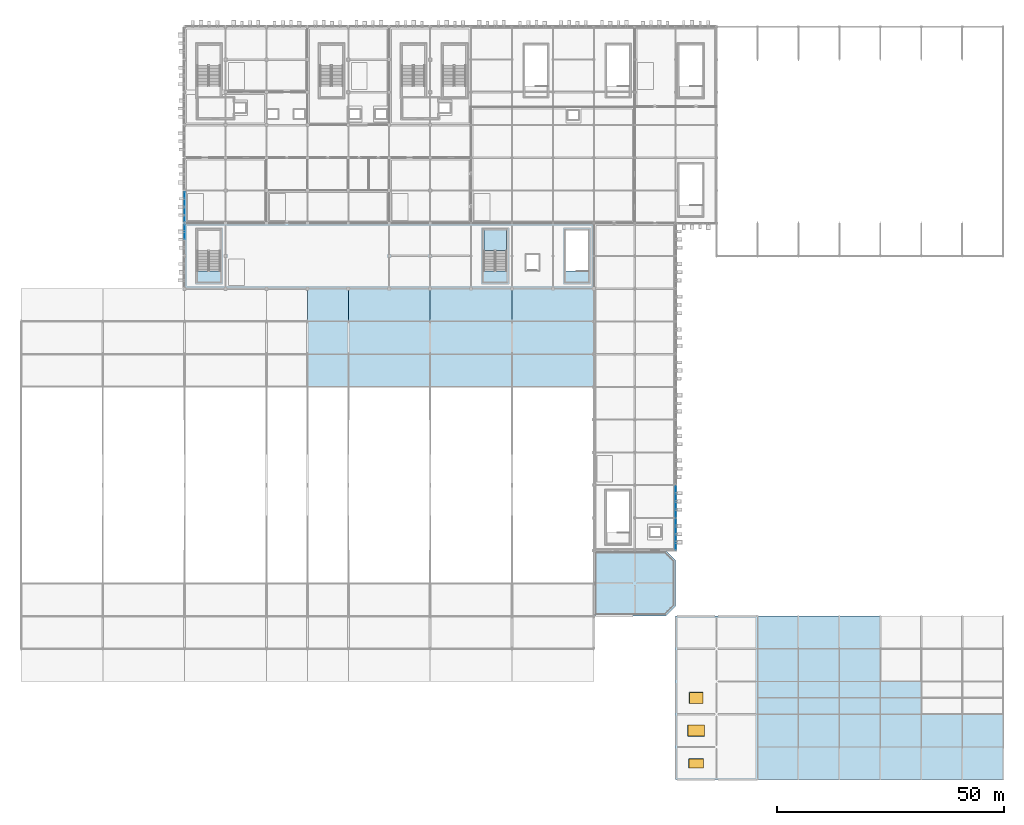
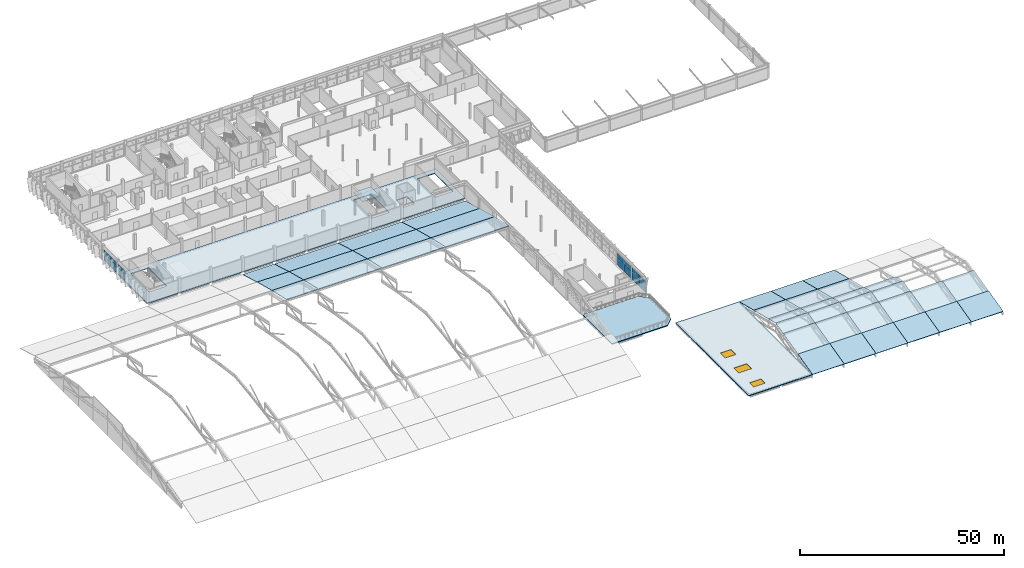
# One storey, part 76 of 124: 42 slabs, 14 plates, 3 windows, 3 openings, 5 elements without a shape of their own.
"""IFC4 building model written with IfcOpenShell, lengths in metres."""

import ifcopenshell
import ifcopenshell.guid

model = None  # the IFC model being written
_history = None  # IfcOwnerHistory: only IFC2X3 demands one
_inside = {}  # id of a spatial element -> (the spatial element, [elements in it])
_under = {}  # id of a project, library or spatial element -> (it, [spatial elements below it])
_declared = {}  # id of a project -> (the project, [libraries it declares])
_typed = {}  # id of a type object -> (the type object, [elements of that type])
_made_of = {}  # id of a material, layer set ... -> (it, [elements and type objects made of it])


def new_model(schema):
    """Start an empty IFC model of exactly this schema.

    Asked for "IFC4X3", IfcOpenShell would pick the latest addendum, in which some entities
    have other attributes; the version numbers below select the first issue.
    IFC2X3 requires an IfcOwnerHistory on every rooted entity: one is made here for all.
    """
    global model, _history
    if schema == "IFC4X3":
        model = ifcopenshell.file(schema_version=(4, 3, 0, 0))
    else:
        model = ifcopenshell.file(schema=schema)
    _inside.clear()
    _under.clear()
    _declared.clear()
    _typed.clear()
    _made_of.clear()
    _history = None
    if model.schema == "IFC2X3":
        org = make("IfcOrganization", Name="unknown")
        user = make(
            "IfcPersonAndOrganization",
            ThePerson=make("IfcPerson", FamilyName="unknown"),
            TheOrganization=org,
        )
        app = make(
            "IfcApplication",
            ApplicationDeveloper=org,
            Version="unknown",
            ApplicationFullName="unknown",
            ApplicationIdentifier="unknown",
        )
        _history = make(
            "IfcOwnerHistory",
            OwningUser=user,
            OwningApplication=app,
            ChangeAction="ADDED",
            CreationDate=0,
        )
    return model


def make(cls, **values):
    """One entity of the class cls with the attributes given. An attribute that is None is left unset."""
    return model.create_entity(
        cls, **{name: value for name, value in values.items() if value is not None}
    )


def rooted(cls, **values):
    """An entity with a GlobalId (a new one), such as an element, a storey or a relation."""
    return make(cls, GlobalId=ifcopenshell.guid.new(), OwnerHistory=_history, **values)


def si_unit(unit_type, name, prefix=None):
    """IfcSIUnit, for example si_unit("LENGTHUNIT", "METRE", prefix="MILLI")."""
    return make("IfcSIUnit", UnitType=unit_type, Prefix=prefix, Name=name)


def assignment(units):
    """IfcUnitAssignment: the units of a project."""
    return None if units is None else make("IfcUnitAssignment", Units=units)


def point(xyz):
    """IfcCartesianPoint."""
    return None if xyz is None else make("IfcCartesianPoint", Coordinates=xyz)


def direction(xyz):
    """IfcDirection."""
    return None if xyz is None else make("IfcDirection", DirectionRatios=xyz)


def frame(location, z_axis=None, x_axis=None):
    """IfcAxis2Placement3D, a coordinate frame: its origin and axes. An axis left out is left unset."""
    return make(
        "IfcAxis2Placement3D",
        Location=point(location),
        Axis=direction(z_axis),
        RefDirection=direction(x_axis),
    )


def frame_2d(location, x_axis=None):
    """IfcAxis2Placement2D, a coordinate frame in the plane: its origin and x axis."""
    return make(
        "IfcAxis2Placement2D", Location=point(location), RefDirection=direction(x_axis)
    )


def origin():
    """The frame at (0, 0, 0) with its axes left unset."""
    return frame((0.0, 0.0, 0.0))


def origin_2d():
    """The frame at (0, 0) in the plane with its x axis left unset."""
    return frame_2d((0.0, 0.0))


def place(relative_to, where):
    """IfcLocalPlacement: puts the frame where relative to a parent placement (None: the world)."""
    return make(
        "IfcLocalPlacement", PlacementRelTo=relative_to, RelativePlacement=where
    )


def context(
    kind, dimensions, precision=None, world=None, true_north=None, identifier=None
):
    """IfcGeometricRepresentationContext, for example the 3D "Model" context."""
    return make(
        "IfcGeometricRepresentationContext",
        ContextIdentifier=identifier,
        ContextType=kind,
        CoordinateSpaceDimension=dimensions,
        Precision=precision,
        WorldCoordinateSystem=world,
        TrueNorth=true_north,
    )


def subcontext(parent, identifier, kind, view, scale=None):
    """IfcGeometricRepresentationSubContext, for example "Body" below "Model"."""
    return make(
        "IfcGeometricRepresentationSubContext",
        ContextIdentifier=identifier,
        ContextType=kind,
        ParentContext=parent,
        TargetScale=scale,
        TargetView=view,
    )


def project(units=None, contexts=None):
    """IfcProject with its units and contexts."""
    return rooted(
        "IfcProject",
        Name="project",
        RepresentationContexts=contexts,
        UnitsInContext=assignment(units),
    )


def spatial(cls, under=None, at=None, **own):
    """A site, building, storey or space (cls), placed at a placement, below another one or the project."""
    s = rooted(cls, ObjectPlacement=at, **own)
    if under is not None:
        _under.setdefault(under.id(), (under, []))[1].append(s)
    return s


def polyline(points):
    """IfcPolyline through the points."""
    return make("IfcPolyline", Points=[point(p) for p in points])


def profile(cls, at=None, kind="AREA", **sizes):
    """A parametric profile (cls). Its sizes go by their IFC names, for example OverallWidth=200.0."""
    return make(cls, ProfileType=kind, Position=at, **sizes)


def rectangle(**sizes):
    """IfcRectangleProfileDef."""
    return profile("IfcRectangleProfileDef", **sizes)


def outline(outer, holes=None, kind="AREA"):
    """IfcArbitraryClosedProfileDef: a profile drawn as a closed curve; with holes, ...WithVoids."""
    if holes is None:
        return make("IfcArbitraryClosedProfileDef", ProfileType=kind, OuterCurve=outer)
    return make(
        "IfcArbitraryProfileDefWithVoids",
        ProfileType=kind,
        OuterCurve=outer,
        InnerCurves=holes,
    )


def extrude(swept, where, along, depth):
    """IfcExtrudedAreaSolid: the profile swept, set in the frame where, extruded along a direction by depth."""
    return make(
        "IfcExtrudedAreaSolid",
        SweptArea=swept,
        Position=where,
        ExtrudedDirection=direction(along),
        Depth=depth,
    )


def shape(context_of_items, identifier, shape_type, items):
    """IfcShapeRepresentation: the items that make up one representation, for example the "Body"."""
    return make(
        "IfcShapeRepresentation",
        ContextOfItems=context_of_items,
        RepresentationIdentifier=identifier,
        RepresentationType=shape_type,
        Items=items,
    )


def material(Name=None, Category=None):
    """IfcMaterial."""
    return make("IfcMaterial", Name=Name, Category=Category)


def layer(
    of_material, thickness, ventilated=None, Name=None, Category=None, Priority=None
):
    """IfcMaterialLayer: one layer of a wall or slab, of a material (None: an air gap)."""
    return make(
        "IfcMaterialLayer",
        Material=of_material,
        LayerThickness=thickness,
        IsVentilated=ventilated,
        Name=Name,
        Category=Category,
        Priority=Priority,
    )


def layer_set(layers, Name=None):
    """IfcMaterialLayerSet."""
    return make("IfcMaterialLayerSet", MaterialLayers=layers, LayerSetName=Name)


def made_of(thing, what):
    """Note that an element or type object is made of a material, layer set ...; save() writes the relation."""
    if what is not None:
        _made_of.setdefault(what.id(), (what, []))[1].append(thing)
    return thing


def type_object(cls, material=None, **own):
    """A type object (cls), such as IfcWallType, which elements share."""
    return made_of(rooted(cls, **own), material)


def element(
    cls,
    number,
    at=None,
    inside=None,
    cuts=None,
    type_object=None,
    material=None,
    context=None,
    identifier="Body",
    shape_type=None,
    held_by="IfcProductDefinitionShape",
    body=None,
    shapes=None,
    **own,
):
    """One element of the class cls, such as IfcWall. Its Tag is "e" and its number.

    at: its placement. inside: the storey or other place that contains it. cuts: it is an
    opening in that element (IfcRelVoidsElement). A single representation is given by context,
    identifier, shape_type and body (its items); several are given by shapes. held_by: the class
    of the entity that holds the representations. save() writes the other relations.
    """
    e = rooted(cls, Tag="e%d" % number, ObjectPlacement=at, **own)
    if body is not None:
        shapes = [shape(context, identifier, shape_type, body)]
    if shapes is not None:
        e.Representation = make(held_by, Representations=shapes)
    if inside is not None:
        _inside.setdefault(inside.id(), (inside, []))[1].append(e)
    if cuts is not None:
        rooted(
            "IfcRelVoidsElement", RelatingBuildingElement=cuts, RelatedOpeningElement=e
        )
    if type_object is not None:
        _typed.setdefault(type_object.id(), (type_object, []))[1].append(e)
    return made_of(e, material)


def fill(opening, filler):
    """IfcRelFillsElement: the door or window that sits in an opening."""
    return rooted(
        "IfcRelFillsElement",
        RelatingOpeningElement=opening,
        RelatedBuildingElement=filler,
    )


def aggregate(whole, parts):
    """IfcRelAggregates: a whole, such as a stair, and the parts it consists of."""
    return rooted("IfcRelAggregates", RelatingObject=whole, RelatedObjects=parts)


def save(model, path):
    """Write the relations noted so far, then the file.

    IfcRelAggregates (storeys below a building ...), IfcRelContainedInSpatialStructure (elements
    in a storey), IfcRelDefinesByType, IfcRelAssociatesMaterial and IfcRelDeclares: one each for
    every whole, place, type object, material and project.
    """
    for whole, parts in _under.values():
        aggregate(whole, parts)
    for where, things in _inside.values():
        rooted(
            "IfcRelContainedInSpatialStructure",
            RelatedElements=things,
            RelatingStructure=where,
        )
    for kind, things in _typed.values():
        rooted("IfcRelDefinesByType", RelatedObjects=things, RelatingType=kind)
    for what, things in _made_of.values():
        rooted("IfcRelAssociatesMaterial", RelatedObjects=things, RelatingMaterial=what)
    for by, libraries in _declared.values():
        rooted("IfcRelDeclares", RelatingContext=by, RelatedDefinitions=libraries)
    model.write(path)


model = new_model("IFC4")

# Units and contexts
model_context = context("Model", 3, precision=1e-05, world=origin(), true_north=direction((0.0, 1.0)))
body_context = subcontext(model_context, "Body", "Model", "MODEL_VIEW")
ifc_project = project(units=[si_unit("LENGTHUNIT", "METRE"), si_unit("AREAUNIT", "SQUARE_METRE"), si_unit("VOLUMEUNIT", "CUBIC_METRE"), si_unit("PLANEANGLEUNIT", "RADIAN"), si_unit("MASSUNIT", "GRAM", prefix="KILO")], contexts=[model_context])

# Site, building, storey
site_placement = place(None, origin())
site = spatial("IfcSite", under=ifc_project, at=site_placement, CompositionType="ELEMENT")
building_placement = place(site_placement, origin())
building = spatial("IfcBuilding", under=site, at=building_placement, Name="Celestram Park Convention Centre", CompositionType="ELEMENT")
storey_placement = place(building_placement, frame((0.0, 0.0, 15.300048828125)))
storey = spatial("IfcBuildingStorey", under=building, at=storey_placement, Name="L03", CompositionType="ELEMENT", Elevation=15.300048828125)

# Curtain wall, plates
ifc_material_1 = material(Name="Anodised Aluminium Alloy 6063-T6", Category="aluminium")
ifc_layer_1 = layer(ifc_material_1, 0.179931640625)
ifc_layer_set_1 = layer_set([ifc_layer_1], Name="Anodised Aluminium Alloy 6063-T6")
curtain_wall_type_1 = type_object("IfcCurtainWallType", Name="ARC-CW-660X334", PredefinedType="NOTDEFINED", material=ifc_layer_set_1)
curtain_wall_1_placement = place(storey_placement, origin())
curtain_wall_1 = element("IfcCurtainWall", 1, at=curtain_wall_1_placement, inside=storey, type_object=curtain_wall_type_1, Name="Unitised curtain wall CU-L03-196", PredefinedType="NOTDEFINED")
ifc_material_2 = material(Name="Insulated Glazing Unit 28 mm", Category="glass")
ifc_layer_2 = layer(ifc_material_2, 0.028076171875)
ifc_layer_set_2 = layer_set([ifc_layer_2], Name="Insulated Glazing Unit 28 mm")
plate_type = type_object("IfcPlateType", Name="ARC-CWP-IGU28", PredefinedType="CURTAIN_PANEL", material=ifc_layer_set_2)
plate_1_placement = place(storey_placement, frame((36.0, 120.434814453125, 0.059814453125), z_axis=(0.0, 0.0, 1.0), x_axis=(0.0, 1.0, 0.0)))
plate_1 = element("IfcPlate", 2, at=plate_1_placement, type_object=plate_type, Name="CW-66X33 panel 2.1", PredefinedType="CURTAIN_PANEL", context=body_context, shape_type="SweptSolid", body=[
    extrude(rectangle(XDim=3.20458984375, YDim=0.028076171875, at=origin_2d()), origin(), (0.0, 0.0, 1.0), 1.912109375),
])
plate_2_placement = place(storey_placement, frame((36.0, 120.434814453125, 2.0322265625), z_axis=(0.0, 0.0, 1.0), x_axis=(0.0, 1.0, 0.0)))
plate_2 = element("IfcPlate", 3, at=plate_2_placement, type_object=plate_type, Name="CW-66X33 panel 2.2", PredefinedType="CURTAIN_PANEL", context=body_context, shape_type="SweptSolid", body=[
    extrude(rectangle(XDim=3.20458984375, YDim=0.028076171875, at=origin_2d()), origin(), (0.0, 0.0, 1.0), 1.243896484375),
])
aggregate(curtain_wall_1, [plate_1, plate_2])

curtain_wall_2_placement = place(storey_placement, origin())
curtain_wall_2 = element("IfcCurtainWall", 4, at=curtain_wall_2_placement, inside=storey, type_object=curtain_wall_type_1, Name="Unitised curtain wall CU-L03-197", PredefinedType="NOTDEFINED")
plate_3_placement = place(storey_placement, frame((36.0, 124.365234375, 0.059814453125), z_axis=(0.0, 0.0, 1.0), x_axis=(0.0, 1.0, 0.0)))
plate_3 = element("IfcPlate", 5, at=plate_3_placement, type_object=plate_type, Name="CW-66X33 panel 1.1", PredefinedType="CURTAIN_PANEL", context=body_context, shape_type="SweptSolid", body=[
    extrude(rectangle(XDim=3.20458984375, YDim=0.028076171875, at=origin_2d()), origin(), (0.0, 0.0, 1.0), 1.912109375),
])
plate_4_placement = place(storey_placement, frame((36.0, 124.365234375, 2.0322265625), z_axis=(0.0, 0.0, 1.0), x_axis=(0.0, 1.0, 0.0)))
plate_4 = element("IfcPlate", 6, at=plate_4_placement, type_object=plate_type, Name="CW-66X33 panel 1.2", PredefinedType="CURTAIN_PANEL", context=body_context, shape_type="SweptSolid", body=[
    extrude(rectangle(XDim=3.20458984375, YDim=0.028076171875, at=origin_2d()), origin(), (0.0, 0.0, 1.0), 1.243896484375),
])
plate_5_placement = place(storey_placement, frame((36.0, 127.634765625, 0.059814453125), z_axis=(0.0, 0.0, 1.0), x_axis=(0.0, 1.0, 0.0)))
plate_5 = element("IfcPlate", 7, at=plate_5_placement, type_object=plate_type, Name="CW-66X33 panel 2.1", PredefinedType="CURTAIN_PANEL", context=body_context, shape_type="SweptSolid", body=[
    extrude(rectangle(XDim=3.20458984375, YDim=0.028076171875, at=origin_2d()), origin(), (0.0, 0.0, 1.0), 1.912109375),
])
plate_6_placement = place(storey_placement, frame((36.0, 127.634765625, 2.0322265625), z_axis=(0.0, 0.0, 1.0), x_axis=(0.0, 1.0, 0.0)))
plate_6 = element("IfcPlate", 8, at=plate_6_placement, type_object=plate_type, Name="CW-66X33 panel 2.2", PredefinedType="CURTAIN_PANEL", context=body_context, shape_type="SweptSolid", body=[
    extrude(rectangle(XDim=3.20458984375, YDim=0.028076171875, at=origin_2d()), origin(), (0.0, 0.0, 1.0), 1.243896484375),
])
aggregate(curtain_wall_2, [plate_3, plate_4, plate_5, plate_6])

ifc_layer_3 = layer(ifc_material_1, 0.179931640625)
ifc_layer_set_3 = layer_set([ifc_layer_3], Name="Anodised Aluminium Alloy 6063-T6")
curtain_wall_type_2 = type_object("IfcCurtainWallType", Name="ARC-CW-685X365", PredefinedType="NOTDEFINED", material=ifc_layer_set_3)
curtain_wall_3_placement = place(storey_placement, origin())
curtain_wall_3 = element("IfcCurtainWall", 9, at=curtain_wall_3_placement, inside=storey, type_object=curtain_wall_type_2, Name="Unitised curtain wall CU-L03-225", PredefinedType="NOTDEFINED")
plate_7_placement = place(storey_placement, frame((144.0, 62.897216796875, 0.059814453125), z_axis=(0.0, 0.0, 1.0), x_axis=(0.0, -1.0, 0.0)))
plate_7 = element("IfcPlate", 10, at=plate_7_placement, type_object=plate_type, Name="CW-68X36 panel 1.1", PredefinedType="CURTAIN_PANEL", context=body_context, shape_type="SweptSolid", body=[
    extrude(rectangle(XDim=3.32958984375, YDim=0.028076171875, at=origin_2d()), origin(), (0.0, 0.0, 1.0), 2.09912109375),
])
plate_8_placement = place(storey_placement, frame((144.0, 62.897216796875, 2.21923828125), z_axis=(0.0, 0.0, 1.0), x_axis=(0.0, -1.0, 0.0)))
plate_8 = element("IfcPlate", 11, at=plate_8_placement, type_object=plate_type, Name="CW-68X36 panel 1.2", PredefinedType="CURTAIN_PANEL", context=body_context, shape_type="SweptSolid", body=[
    extrude(rectangle(XDim=3.32958984375, YDim=0.028076171875, at=origin_2d()), origin(), (0.0, 0.0, 1.0), 1.368896484375),
])
plate_9_placement = place(storey_placement, frame((144.0, 59.502685546875, 0.059814453125), z_axis=(0.0, 0.0, 1.0), x_axis=(0.0, -1.0, 0.0)))
plate_9 = element("IfcPlate", 12, at=plate_9_placement, type_object=plate_type, Name="CW-68X36 panel 2.1", PredefinedType="CURTAIN_PANEL", context=body_context, shape_type="SweptSolid", body=[
    extrude(rectangle(XDim=3.32958984375, YDim=0.028076171875, at=origin_2d()), origin(), (0.0, 0.0, 1.0), 2.09912109375),
])
plate_10_placement = place(storey_placement, frame((144.0, 59.502685546875, 2.21923828125), z_axis=(0.0, 0.0, 1.0), x_axis=(0.0, -1.0, 0.0)))
plate_10 = element("IfcPlate", 13, at=plate_10_placement, type_object=plate_type, Name="CW-68X36 panel 2.2", PredefinedType="CURTAIN_PANEL", context=body_context, shape_type="SweptSolid", body=[
    extrude(rectangle(XDim=3.32958984375, YDim=0.028076171875, at=origin_2d()), origin(), (0.0, 0.0, 1.0), 1.368896484375),
])
aggregate(curtain_wall_3, [plate_7, plate_8, plate_9, plate_10])

curtain_wall_4_placement = place(storey_placement, origin())
curtain_wall_4 = element("IfcCurtainWall", 14, at=curtain_wall_4_placement, inside=storey, type_object=curtain_wall_type_2, Name="Unitised curtain wall CU-L03-226", PredefinedType="NOTDEFINED")
plate_11_placement = place(storey_placement, frame((144.0, 55.697265625, 0.059814453125), z_axis=(0.0, 0.0, 1.0), x_axis=(0.0, -1.0, 0.0)))
plate_11 = element("IfcPlate", 15, at=plate_11_placement, type_object=plate_type, Name="CW-68X36 panel 1.1", PredefinedType="CURTAIN_PANEL", context=body_context, shape_type="SweptSolid", body=[
    extrude(rectangle(XDim=3.32958984375, YDim=0.028076171875, at=origin_2d()), origin(), (0.0, 0.0, 1.0), 2.09912109375),
])
plate_12_placement = place(storey_placement, frame((144.0, 55.697265625, 2.21923828125), z_axis=(0.0, 0.0, 1.0), x_axis=(0.0, -1.0, 0.0)))
plate_12 = element("IfcPlate", 16, at=plate_12_placement, type_object=plate_type, Name="CW-68X36 panel 1.2", PredefinedType="CURTAIN_PANEL", context=body_context, shape_type="SweptSolid", body=[
    extrude(rectangle(XDim=3.32958984375, YDim=0.028076171875, at=origin_2d()), origin(), (0.0, 0.0, 1.0), 1.368896484375),
])
plate_13_placement = place(storey_placement, frame((144.0, 52.302734375, 0.059814453125), z_axis=(0.0, 0.0, 1.0), x_axis=(0.0, -1.0, 0.0)))
plate_13 = element("IfcPlate", 17, at=plate_13_placement, type_object=plate_type, Name="CW-68X36 panel 2.1", PredefinedType="CURTAIN_PANEL", context=body_context, shape_type="SweptSolid", body=[
    extrude(rectangle(XDim=3.32958984375, YDim=0.028076171875, at=origin_2d()), origin(), (0.0, 0.0, 1.0), 2.09912109375),
])
plate_14_placement = place(storey_placement, frame((144.0, 52.302734375, 2.21923828125), z_axis=(0.0, 0.0, 1.0), x_axis=(0.0, -1.0, 0.0)))
plate_14 = element("IfcPlate", 18, at=plate_14_placement, type_object=plate_type, Name="CW-68X36 panel 2.2", PredefinedType="CURTAIN_PANEL", context=body_context, shape_type="SweptSolid", body=[
    extrude(rectangle(XDim=3.32958984375, YDim=0.028076171875, at=origin_2d()), origin(), (0.0, 0.0, 1.0), 1.368896484375),
])
aggregate(curtain_wall_4, [plate_11, plate_12, plate_13, plate_14])

# Slabs
ifc_material_3 = material(Name="Concrete C35/45", Category="concrete")
ifc_layer_4 = layer(ifc_material_3, 0.159912109375)
ifc_layer_set_4 = layer_set([ifc_layer_4], Name="Concrete C35/45")
slab_type_1 = type_object("IfcSlabType", Name="STR-SLB-ARCH160", PredefinedType="ROOF", material=ifc_layer_set_4)
slab_1_placement = place(storey_placement, frame((63.0, 86.39990234375, 4.73486328125), z_axis=(0.0, 0.223138007485, 0.974786863686), x_axis=(1.0, 0.0, 0.0)))
element("IfcSlab", 19, at=slab_1_placement, inside=storey, type_object=slab_type_1, Name="V1 arched roof deck facet 5.10", PredefinedType="ROOF", context=body_context, shape_type="SweptSolid", body=[
    extrude(outline(polyline([(0.0, 0.0), (9.0, 0.0), (9.0, 7.386430388762546), (0.0, 7.386430388762546), (0.0, 0.0)])), origin(), (0.0, 0.0, -1.0), 0.159912109375),
])
slab_2_placement = place(storey_placement, frame((63.0, 93.60009765625, 3.086669921875), z_axis=(0.0, 0.252443267403, 0.967611697295), x_axis=(1.0, 0.0, 0.0)))
element("IfcSlab", 20, at=slab_2_placement, inside=storey, type_object=slab_type_1, Name="V1 arched roof deck facet 5.11", PredefinedType="ROOF", context=body_context, shape_type="SweptSolid", body=[
    extrude(outline(polyline([(0.0, 0.0), (9.0, 0.0), (9.0, 7.440950943441775), (0.0, 7.440950943441775), (0.0, 0.0)])), origin(), (0.0, 0.0, -1.0), 0.159912109375),
])
slab_3_placement = place(storey_placement, frame((63.0, 100.800048828125, 1.208251953125), z_axis=(0.0, 0.281033269599, 0.959698026141), x_axis=(1.0, 0.0, 0.0)))
element("IfcSlab", 21, at=slab_3_placement, inside=storey, type_object=slab_type_1, Name="V1 arched roof deck facet 5.12", PredefinedType="ROOF", context=body_context, shape_type="SweptSolid", body=[
    extrude(outline(polyline([(0.0, 0.0), (9.0, 0.0), (9.0, 7.502309034466431), (0.0, 7.502309034466431), (0.0, 0.0)])), origin(), (0.0, 0.0, -1.0), 0.159912109375),
])
slab_4_placement = place(storey_placement, frame((72.0, 86.39990234375, 4.73486328125), z_axis=(0.0, 0.223138007485, 0.974786863686), x_axis=(1.0, 0.0, 0.0)))
element("IfcSlab", 22, at=slab_4_placement, inside=storey, type_object=slab_type_1, Name="V1 arched roof deck facet 6.10", PredefinedType="ROOF", context=body_context, shape_type="SweptSolid", body=[
    extrude(outline(polyline([(0.0, 0.0), (18.0, 0.0), (18.0, 7.386430388762546), (0.0, 7.386430388762546), (0.0, 0.0)])), origin(), (0.0, 0.0, -1.0), 0.159912109375),
])
slab_5_placement = place(storey_placement, frame((72.0, 93.60009765625, 3.086669921875), z_axis=(0.0, 0.252443267403, 0.967611697295), x_axis=(1.0, 0.0, 0.0)))
element("IfcSlab", 23, at=slab_5_placement, inside=storey, type_object=slab_type_1, Name="V1 arched roof deck facet 6.11", PredefinedType="ROOF", context=body_context, shape_type="SweptSolid", body=[
    extrude(outline(polyline([(0.0, 0.0), (18.0, 0.0), (18.0, 7.440950943441775), (0.0, 7.440950943441775), (0.0, 0.0)])), origin(), (0.0, 0.0, -1.0), 0.159912109375),
])
slab_6_placement = place(storey_placement, frame((72.0, 100.800048828125, 1.208251953125), z_axis=(0.0, 0.281033269599, 0.959698026141), x_axis=(1.0, 0.0, 0.0)))
element("IfcSlab", 24, at=slab_6_placement, inside=storey, type_object=slab_type_1, Name="V1 arched roof deck facet 6.12", PredefinedType="ROOF", context=body_context, shape_type="SweptSolid", body=[
    extrude(outline(polyline([(0.0, 0.0), (18.0, 0.0), (18.0, 7.502309034466431), (0.0, 7.502309034466431), (0.0, 0.0)])), origin(), (0.0, 0.0, -1.0), 0.159912109375),
])
slab_7_placement = place(storey_placement, frame((90.0, 86.39990234375, 4.73486328125), z_axis=(0.0, 0.223138007485, 0.974786863686), x_axis=(1.0, 0.0, 0.0)))
element("IfcSlab", 25, at=slab_7_placement, inside=storey, type_object=slab_type_1, Name="V1 arched roof deck facet 7.10", PredefinedType="ROOF", context=body_context, shape_type="SweptSolid", body=[
    extrude(outline(polyline([(0.0, 0.0), (18.0, 0.0), (18.0, 7.386430388762546), (0.0, 7.386430388762546), (0.0, 0.0)])), origin(), (0.0, 0.0, -1.0), 0.159912109375),
])
slab_8_placement = place(storey_placement, frame((90.0, 93.60009765625, 3.086669921875), z_axis=(0.0, 0.252443267403, 0.967611697295), x_axis=(1.0, 0.0, 0.0)))
element("IfcSlab", 26, at=slab_8_placement, inside=storey, type_object=slab_type_1, Name="V1 arched roof deck facet 7.11", PredefinedType="ROOF", context=body_context, shape_type="SweptSolid", body=[
    extrude(outline(polyline([(0.0, 0.0), (18.0, 0.0), (18.0, 7.440950943441775), (0.0, 7.440950943441775), (0.0, 0.0)])), origin(), (0.0, 0.0, -1.0), 0.159912109375),
])
slab_9_placement = place(storey_placement, frame((90.0, 100.800048828125, 1.208251953125), z_axis=(0.0, 0.281033269599, 0.959698026141), x_axis=(1.0, 0.0, 0.0)))
element("IfcSlab", 27, at=slab_9_placement, inside=storey, type_object=slab_type_1, Name="V1 arched roof deck facet 7.12", PredefinedType="ROOF", context=body_context, shape_type="SweptSolid", body=[
    extrude(outline(polyline([(0.0, 0.0), (18.0, 0.0), (18.0, 7.502309034466431), (0.0, 7.502309034466431), (0.0, 0.0)])), origin(), (0.0, 0.0, -1.0), 0.159912109375),
])
slab_10_placement = place(storey_placement, frame((108.0, 86.39990234375, 4.73486328125), z_axis=(0.0, 0.223138007485, 0.974786863686), x_axis=(1.0, 0.0, 0.0)))
element("IfcSlab", 28, at=slab_10_placement, inside=storey, type_object=slab_type_1, Name="V1 arched roof deck facet 8.10", PredefinedType="ROOF", context=body_context, shape_type="SweptSolid", body=[
    extrude(outline(polyline([(0.0, 0.0), (18.0, 0.0), (18.0, 7.386430388762546), (0.0, 7.386430388762546), (0.0, 0.0)])), origin(), (0.0, 0.0, -1.0), 0.159912109375),
])
slab_11_placement = place(storey_placement, frame((108.0, 93.60009765625, 3.086669921875), z_axis=(0.0, 0.252443267403, 0.967611697295), x_axis=(1.0, 0.0, 0.0)))
element("IfcSlab", 29, at=slab_11_placement, inside=storey, type_object=slab_type_1, Name="V1 arched roof deck facet 8.11", PredefinedType="ROOF", context=body_context, shape_type="SweptSolid", body=[
    extrude(outline(polyline([(0.0, 0.0), (18.0, 0.0), (18.0, 7.440950943441775), (0.0, 7.440950943441775), (0.0, 0.0)])), origin(), (0.0, 0.0, -1.0), 0.159912109375),
])
slab_12_placement = place(storey_placement, frame((108.0, 100.800048828125, 1.208251953125), z_axis=(0.0, 0.281033269599, 0.959698026141), x_axis=(1.0, 0.0, 0.0)))
element("IfcSlab", 30, at=slab_12_placement, inside=storey, type_object=slab_type_1, Name="V1 arched roof deck facet 8.12", PredefinedType="ROOF", context=body_context, shape_type="SweptSolid", body=[
    extrude(outline(polyline([(0.0, 0.0), (18.0, 0.0), (18.0, 7.502309034466431), (0.0, 7.502309034466431), (0.0, 0.0)])), origin(), (0.0, 0.0, -1.0), 0.159912109375),
])
slab_13_placement = place(storey_placement, frame((162.0, 0.0, 0.0), z_axis=(0.0, -0.242543365301, 0.970140565046), x_axis=(1.0, 0.0, 0.0)))
element("IfcSlab", 31, at=slab_13_placement, inside=storey, type_object=slab_type_1, Name="V3 arched roof deck facet 1.1", PredefinedType="ROOF", context=body_context, shape_type="SweptSolid", body=[
    extrude(outline(polyline([(0.0, 0.0), (9.0, 0.0), (9.0, 7.421554598668555), (0.0, 7.421554598668555), (0.0, 0.0)])), origin(), (0.0, 0.0, -1.0), 0.159912109375),
])
slab_14_placement = place(storey_placement, frame((162.0, 7.199951171875, 1.800048828125), z_axis=(0.0, -0.242512403965, 0.970148305118), x_axis=(1.0, 0.0, 0.0)))
element("IfcSlab", 32, at=slab_14_placement, inside=storey, type_object=slab_type_1, Name="V3 arched roof deck facet 1.2", PredefinedType="ROOF", context=body_context, shape_type="SweptSolid", body=[
    extrude(outline(polyline([(0.0, 0.0), (9.0, 0.0), (9.0, 7.421495387759206), (0.0, 7.421495387759206), (0.0, 0.0)])), origin(), (0.0, 0.0, -1.0), 0.159912109375),
])
for number, where, z_axis, x_axis, name in (
    (33, (162.0, 14.39990234375, 3.599853515625), (0.0, -0.242566626814, 0.970134749175), (1.0, 0.0, 0.0), "V3 arched roof deck facet 1.3"),
    (34, (162.0, 18.0048828125, 4.498779296875), (0.0, 0.242566626814, 0.970134749175), (1.0, 0.0, 0.0), "V3 arched roof deck facet 1.4"),
):
    element("IfcSlab", number, at=place(storey_placement, frame(where, z_axis=z_axis, x_axis=x_axis)), inside=storey, type_object=slab_type_1, Name=name, PredefinedType="ROOF", context=body_context, shape_type="SweptSolid", body=[
        extrude(outline(polyline([(0.0, 0.0), (9.0, 0.0), (9.0, 3.7058922451841823), (0.0, 3.7058922451841823), (0.0, 0.0)])), origin(), (0.0, 0.0, -1.0), 0.159912109375),
    ])
slab_15_placement = place(storey_placement, frame((162.0, 21.60009765625, 3.599853515625), z_axis=(0.0, 0.242512403965, 0.970148305118), x_axis=(1.0, 0.0, 0.0)))
element("IfcSlab", 35, at=slab_15_placement, inside=storey, type_object=slab_type_1, Name="V3 arched roof deck facet 1.5", PredefinedType="ROOF", context=body_context, shape_type="SweptSolid", body=[
    extrude(outline(polyline([(0.0, 0.0), (9.0, 0.0), (9.0, 7.421495387759206), (0.0, 7.421495387759206), (0.0, 0.0)])), origin(), (0.0, 0.0, -1.0), 0.159912109375),
])
for number, where, z_axis, x_axis, name in (
    (36, (162.0, 28.800048828125, 1.800048828125), (0.0, 0.242543365301, 0.970140565046), (1.0, 0.0, 0.0), "V3 arched roof deck facet 1.6"),
    (37, (171.0, 0.0, 0.0), (0.0, -0.242543365301, 0.970140565046), (1.0, 0.0, 0.0), "V3 arched roof deck facet 2.1"),
):
    element("IfcSlab", number, at=place(storey_placement, frame(where, z_axis=z_axis, x_axis=x_axis)), inside=storey, type_object=slab_type_1, Name=name, PredefinedType="ROOF", context=body_context, shape_type="SweptSolid", body=[
        extrude(outline(polyline([(0.0, 0.0), (9.0, 0.0), (9.0, 7.421554598668555), (0.0, 7.421554598668555), (0.0, 0.0)])), origin(), (0.0, 0.0, -1.0), 0.159912109375),
    ])
slab_16_placement = place(storey_placement, frame((171.0, 7.199951171875, 1.800048828125), z_axis=(0.0, -0.242512403965, 0.970148305118), x_axis=(1.0, 0.0, 0.0)))
element("IfcSlab", 38, at=slab_16_placement, inside=storey, type_object=slab_type_1, Name="V3 arched roof deck facet 2.2", PredefinedType="ROOF", context=body_context, shape_type="SweptSolid", body=[
    extrude(outline(polyline([(0.0, 0.0), (9.0, 0.0), (9.0, 7.421495387759206), (0.0, 7.421495387759206), (0.0, 0.0)])), origin(), (0.0, 0.0, -1.0), 0.159912109375),
])
for number, where, z_axis, x_axis, name in (
    (39, (171.0, 14.39990234375, 3.599853515625), (0.0, -0.242566626814, 0.970134749175), (1.0, 0.0, 0.0), "V3 arched roof deck facet 2.3"),
    (40, (171.0, 18.0048828125, 4.498779296875), (0.0, 0.242566626814, 0.970134749175), (1.0, 0.0, 0.0), "V3 arched roof deck facet 2.4"),
):
    element("IfcSlab", number, at=place(storey_placement, frame(where, z_axis=z_axis, x_axis=x_axis)), inside=storey, type_object=slab_type_1, Name=name, PredefinedType="ROOF", context=body_context, shape_type="SweptSolid", body=[
        extrude(outline(polyline([(0.0, 0.0), (9.0, 0.0), (9.0, 3.7058922451841823), (0.0, 3.7058922451841823), (0.0, 0.0)])), origin(), (0.0, 0.0, -1.0), 0.159912109375),
    ])
slab_17_placement = place(storey_placement, frame((171.0, 21.60009765625, 3.599853515625), z_axis=(0.0, 0.242512403965, 0.970148305118), x_axis=(1.0, 0.0, 0.0)))
element("IfcSlab", 41, at=slab_17_placement, inside=storey, type_object=slab_type_1, Name="V3 arched roof deck facet 2.5", PredefinedType="ROOF", context=body_context, shape_type="SweptSolid", body=[
    extrude(outline(polyline([(0.0, 0.0), (9.0, 0.0), (9.0, 7.421495387759206), (0.0, 7.421495387759206), (0.0, 0.0)])), origin(), (0.0, 0.0, -1.0), 0.159912109375),
])
for number, where, z_axis, x_axis, name in (
    (42, (171.0, 28.800048828125, 1.800048828125), (0.0, 0.242543365301, 0.970140565046), (1.0, 0.0, 0.0), "V3 arched roof deck facet 2.6"),
    (43, (180.0, 0.0, 0.0), (0.0, -0.242543365301, 0.970140565046), (1.0, 0.0, 0.0), "V3 arched roof deck facet 3.1"),
):
    element("IfcSlab", number, at=place(storey_placement, frame(where, z_axis=z_axis, x_axis=x_axis)), inside=storey, type_object=slab_type_1, Name=name, PredefinedType="ROOF", context=body_context, shape_type="SweptSolid", body=[
        extrude(outline(polyline([(0.0, 0.0), (9.0, 0.0), (9.0, 7.421554598668555), (0.0, 7.421554598668555), (0.0, 0.0)])), origin(), (0.0, 0.0, -1.0), 0.159912109375),
    ])
slab_18_placement = place(storey_placement, frame((180.0, 7.199951171875, 1.800048828125), z_axis=(0.0, -0.242512403965, 0.970148305118), x_axis=(1.0, 0.0, 0.0)))
element("IfcSlab", 44, at=slab_18_placement, inside=storey, type_object=slab_type_1, Name="V3 arched roof deck facet 3.2", PredefinedType="ROOF", context=body_context, shape_type="SweptSolid", body=[
    extrude(outline(polyline([(0.0, 0.0), (9.0, 0.0), (9.0, 7.421495387759206), (0.0, 7.421495387759206), (0.0, 0.0)])), origin(), (0.0, 0.0, -1.0), 0.159912109375),
])
for number, where, z_axis, x_axis, name in (
    (45, (180.0, 14.39990234375, 3.599853515625), (0.0, -0.242566626814, 0.970134749175), (1.0, 0.0, 0.0), "V3 arched roof deck facet 3.3"),
    (46, (180.0, 18.0048828125, 4.498779296875), (0.0, 0.242566626814, 0.970134749175), (1.0, 0.0, 0.0), "V3 arched roof deck facet 3.4"),
):
    element("IfcSlab", number, at=place(storey_placement, frame(where, z_axis=z_axis, x_axis=x_axis)), inside=storey, type_object=slab_type_1, Name=name, PredefinedType="ROOF", context=body_context, shape_type="SweptSolid", body=[
        extrude(outline(polyline([(0.0, 0.0), (9.0, 0.0), (9.0, 3.7058922451841823), (0.0, 3.7058922451841823), (0.0, 0.0)])), origin(), (0.0, 0.0, -1.0), 0.159912109375),
    ])
slab_19_placement = place(storey_placement, frame((180.0, 21.60009765625, 3.599853515625), z_axis=(0.0, 0.242512403965, 0.970148305118), x_axis=(1.0, 0.0, 0.0)))
element("IfcSlab", 47, at=slab_19_placement, inside=storey, type_object=slab_type_1, Name="V3 arched roof deck facet 3.5", PredefinedType="ROOF", context=body_context, shape_type="SweptSolid", body=[
    extrude(outline(polyline([(0.0, 0.0), (9.0, 0.0), (9.0, 7.421495387759206), (0.0, 7.421495387759206), (0.0, 0.0)])), origin(), (0.0, 0.0, -1.0), 0.159912109375),
])
for number, where, z_axis, x_axis, name in (
    (48, (180.0, 28.800048828125, 1.800048828125), (0.0, 0.242543365301, 0.970140565046), (1.0, 0.0, 0.0), "V3 arched roof deck facet 3.6"),
    (49, (189.0, 0.0, 0.0), (0.0, -0.242543365301, 0.970140565046), (1.0, 0.0, 0.0), "V3 arched roof deck facet 4.1"),
):
    element("IfcSlab", number, at=place(storey_placement, frame(where, z_axis=z_axis, x_axis=x_axis)), inside=storey, type_object=slab_type_1, Name=name, PredefinedType="ROOF", context=body_context, shape_type="SweptSolid", body=[
        extrude(outline(polyline([(0.0, 0.0), (9.0, 0.0), (9.0, 7.421554598668555), (0.0, 7.421554598668555), (0.0, 0.0)])), origin(), (0.0, 0.0, -1.0), 0.159912109375),
    ])
slab_20_placement = place(storey_placement, frame((189.0, 7.199951171875, 1.800048828125), z_axis=(0.0, -0.242512403965, 0.970148305118), x_axis=(1.0, 0.0, 0.0)))
element("IfcSlab", 50, at=slab_20_placement, inside=storey, type_object=slab_type_1, Name="V3 arched roof deck facet 4.2", PredefinedType="ROOF", context=body_context, shape_type="SweptSolid", body=[
    extrude(outline(polyline([(0.0, 0.0), (9.0, 0.0), (9.0, 7.421495387759206), (0.0, 7.421495387759206), (0.0, 0.0)])), origin(), (0.0, 0.0, -1.0), 0.159912109375),
])
for number, where, z_axis, x_axis, name in (
    (51, (189.0, 14.39990234375, 3.599853515625), (0.0, -0.242566626814, 0.970134749175), (1.0, 0.0, 0.0), "V3 arched roof deck facet 4.3"),
    (52, (189.0, 18.0048828125, 4.498779296875), (0.0, 0.242566626814, 0.970134749175), (1.0, 0.0, 0.0), "V3 arched roof deck facet 4.4"),
):
    element("IfcSlab", number, at=place(storey_placement, frame(where, z_axis=z_axis, x_axis=x_axis)), inside=storey, type_object=slab_type_1, Name=name, PredefinedType="ROOF", context=body_context, shape_type="SweptSolid", body=[
        extrude(outline(polyline([(0.0, 0.0), (9.0, 0.0), (9.0, 3.7058922451841823), (0.0, 3.7058922451841823), (0.0, 0.0)])), origin(), (0.0, 0.0, -1.0), 0.159912109375),
    ])
slab_21_placement = place(storey_placement, frame((198.0, 0.0, 0.0), z_axis=(0.0, -0.242543365301, 0.970140565046), x_axis=(1.0, 0.0, 0.0)))
element("IfcSlab", 53, at=slab_21_placement, inside=storey, type_object=slab_type_1, Name="V3 arched roof deck facet 5.1", PredefinedType="ROOF", context=body_context, shape_type="SweptSolid", body=[
    extrude(outline(polyline([(0.0, 0.0), (9.0, 0.0), (9.0, 7.421554598668555), (0.0, 7.421554598668555), (0.0, 0.0)])), origin(), (0.0, 0.0, -1.0), 0.159912109375),
])
slab_22_placement = place(storey_placement, frame((198.0, 7.199951171875, 1.800048828125), z_axis=(0.0, -0.242512403965, 0.970148305118), x_axis=(1.0, 0.0, 0.0)))
element("IfcSlab", 54, at=slab_22_placement, inside=storey, type_object=slab_type_1, Name="V3 arched roof deck facet 5.2", PredefinedType="ROOF", context=body_context, shape_type="SweptSolid", body=[
    extrude(outline(polyline([(0.0, 0.0), (9.0, 0.0), (9.0, 7.421495387759206), (0.0, 7.421495387759206), (0.0, 0.0)])), origin(), (0.0, 0.0, -1.0), 0.159912109375),
])
slab_23_placement = place(storey_placement, frame((207.0, 0.0, 0.0), z_axis=(0.0, -0.242543365301, 0.970140565046), x_axis=(1.0, 0.0, 0.0)))
element("IfcSlab", 55, at=slab_23_placement, inside=storey, type_object=slab_type_1, Name="V3 arched roof deck facet 6.1", PredefinedType="ROOF", context=body_context, shape_type="SweptSolid", body=[
    extrude(outline(polyline([(0.0, 0.0), (9.0, 0.0), (9.0, 7.421554598668555), (0.0, 7.421554598668555), (0.0, 0.0)])), origin(), (0.0, 0.0, -1.0), 0.159912109375),
])
slab_24_placement = place(storey_placement, frame((207.0, 7.199951171875, 1.800048828125), z_axis=(0.0, -0.242512403965, 0.970148305118), x_axis=(1.0, 0.0, 0.0)))
element("IfcSlab", 56, at=slab_24_placement, inside=storey, type_object=slab_type_1, Name="V3 arched roof deck facet 6.2", PredefinedType="ROOF", context=body_context, shape_type="SweptSolid", body=[
    extrude(outline(polyline([(0.0, 0.0), (9.0, 0.0), (9.0, 7.421495387759206), (0.0, 7.421495387759206), (0.0, 0.0)])), origin(), (0.0, 0.0, -1.0), 0.159912109375),
])
ifc_layer_5 = layer(ifc_material_3, 0.25)
ifc_layer_set_5 = layer_set([ifc_layer_5], Name="Concrete C35/45")
slab_type_2 = type_object("IfcSlabType", Name="STR-SLB-FLR250", PredefinedType="FLOOR", material=ifc_layer_set_5)
slab_25_placement = place(storey_placement, frame((0.0, 0.0, -0.25)))
element("IfcSlab", 57, at=slab_25_placement, inside=storey, type_object=slab_type_2, Name="Floor slab L03-CNC", PredefinedType="FLOOR", context=body_context, shape_type="SweptSolid", body=[
    extrude(outline(polyline([(36.0, 108.0), (36.0, 122.39990234375), (126.0, 122.39990234375), (126.0, 108.0), (36.0, 108.0)]), holes=[polyline([(43.800048828125, 120.89990234375), (38.840087890625, 120.89990234375), (38.840087890625, 111.906005859375), (43.800048828125, 111.906005859375), (43.800048828125, 120.89990234375)]), polyline([(111.050048828125, 112.050048828125), (113.949951171875, 112.050048828125), (113.949951171875, 115.550048828125), (111.050048828125, 115.550048828125), (111.050048828125, 112.050048828125)]), polyline([(106.800048828125, 111.906005859375), (106.800048828125, 120.89990234375), (101.840087890625, 120.89990234375), (101.840087890625, 111.906005859375), (106.800048828125, 111.906005859375)]), polyline([(124.800048828125, 120.89990234375), (119.840087890625, 120.89990234375), (119.840087890625, 111.906005859375), (124.800048828125, 111.906005859375), (124.800048828125, 120.89990234375)])]), origin(), (0.0, 0.0, 1.0), 0.25),
])

# Stair, slab
ifc_material_4 = material(Name="Precast Concrete C40/50", Category="concrete")
stair_type = type_object("IfcStairType", Name="ARC-STR-DOG45", PredefinedType="HALF_TURN_STAIR", material=ifc_material_4)
stair_placement = place(storey_placement, origin())
stair = element("IfcStair", 58, at=stair_placement, inside=storey, type_object=stair_type, Name="L03 Core C3 stair ST-03", PredefinedType="HALF_TURN_STAIR")
ifc_layer_6 = layer(ifc_material_3, 0.199951171875)
ifc_layer_set_6 = layer_set([ifc_layer_6], Name="Concrete C35/45")
slab_type_3 = type_object("IfcSlabType", Name="STR-SLB-LND200", PredefinedType="LANDING", material=ifc_layer_set_6)
slab_26_placement = place(storey_placement, frame((0.0, 0.0, 2.050048828125)))
slab_26 = element("IfcSlab", 59, at=slab_26_placement, type_object=slab_type_3, Name="ST-03 landing 1", PredefinedType="LANDING", context=body_context, shape_type="SweptSolid", body=[
    extrude(outline(polyline([(106.800048828125, 116.3740234375), (106.800048828125, 120.89990234375), (101.840087890625, 120.89990234375), (101.840087890625, 116.3740234375), (106.800048828125, 116.3740234375)])), origin(), (0.0, 0.0, 1.0), 0.199951171875),
])
aggregate(stair, [slab_26])

# Slab, openings, windows
ifc_layer_7 = layer(ifc_material_3, 0.239990234375)
ifc_layer_set_7 = layer_set([ifc_layer_7], Name="Concrete C35/45")
slab_type_4 = type_object("IfcSlabType", Name="STR-SLB-ROOF240", PredefinedType="ROOF", material=ifc_layer_set_7)
slab_27_placement = place(storey_placement, frame((0.0, 0.0, -0.239990234375)))
slab_27 = element("IfcSlab", 60, at=slab_27_placement, inside=storey, type_object=slab_type_4, Name="Insulated flat roof deck SL-L03-RF040", PredefinedType="ROOF", context=body_context, shape_type="SweptSolid", body=[
    extrude(outline(polyline([(144.0, 36.0), (162.0, 36.0), (162.0, 0.0), (144.0, 0.0), (144.0, 36.0)])), origin(), (0.0, 0.0, 1.0), 0.239990234375),
])
opening_1_placement = place(slab_27_placement, frame((148.5, 3.60009765625, -0.010009765625)))
opening_1 = element("IfcOpeningElement", 61, at=opening_1_placement, cuts=slab_27, Name="Opening SK-04", PredefinedType="OPENING", context=body_context, shape_type="SweptSolid", body=[
    extrude(rectangle(XDim=3.199951171875, YDim=2.0, at=origin_2d()), origin(), (0.0, 0.0, 1.0), 0.260009765625),
])
opening_2_placement = place(slab_27_placement, frame((148.5, 10.800048828125, -0.010009765625)))
opening_2 = element("IfcOpeningElement", 62, at=opening_2_placement, cuts=slab_27, Name="Opening SK-01", PredefinedType="OPENING", context=body_context, shape_type="SweptSolid", body=[
    extrude(rectangle(XDim=3.60009765625, YDim=2.39990234375, at=origin_2d()), origin(), (0.0, 0.0, 1.0), 0.260009765625),
])
opening_3_placement = place(slab_27_placement, frame((148.5, 18.0, -0.010009765625)))
opening_3 = element("IfcOpeningElement", 63, at=opening_3_placement, cuts=slab_27, Name="Opening SK-02", PredefinedType="OPENING", context=body_context, shape_type="SweptSolid", body=[
    extrude(rectangle(XDim=3.0, YDim=2.39990234375, at=origin_2d()), origin(), (0.0, 0.0, 1.0), 0.260009765625),
])
ifc_material_5 = material(Name="Thermally Broken Aluminium & Triple Glazing", Category="aluminium")
window_type_1 = type_object("IfcWindowType", Name="ARC-SK-300X240", PartitioningType="SINGLE_PANEL", PredefinedType="SKYLIGHT", material=ifc_material_5)
window_1_placement = place(opening_3_placement, frame((0.0, 0.0, 0.199951171875)))
window_1 = element("IfcWindow", 64, at=window_1_placement, inside=storey, type_object=window_type_1, Name="Insulated roof skylight SK-L03-06", OverallHeight=2.39990234375, OverallWidth=3.0, PartitioningType="SINGLE_PANEL", PredefinedType="SKYLIGHT", context=body_context, shape_type="SweptSolid", body=[
    extrude(rectangle(XDim=3.0, YDim=2.39990234375, at=origin_2d()), origin(), (0.0, 0.0, 1.0), 0.050048828125),
])
fill(opening_3, window_1)
window_type_2 = type_object("IfcWindowType", Name="ARC-SK-320X200", PartitioningType="SINGLE_PANEL", PredefinedType="SKYLIGHT", material=ifc_material_5)
window_2_placement = place(opening_1_placement, frame((0.0, 0.0, 0.199951171875)))
window_2 = element("IfcWindow", 65, at=window_2_placement, inside=storey, type_object=window_type_2, Name="Insulated roof skylight SK-L03-04", OverallHeight=2.0, OverallWidth=3.199951171875, PartitioningType="SINGLE_PANEL", PredefinedType="SKYLIGHT", context=body_context, shape_type="SweptSolid", body=[
    extrude(rectangle(XDim=3.199951171875, YDim=2.0, at=origin_2d()), origin(), (0.0, 0.0, 1.0), 0.050048828125),
])
fill(opening_1, window_2)
window_type_3 = type_object("IfcWindowType", Name="ARC-SK-360X240", PartitioningType="SINGLE_PANEL", PredefinedType="SKYLIGHT", material=ifc_material_5)
window_3_placement = place(opening_2_placement, frame((0.0, 0.0, 0.199951171875)))
window_3 = element("IfcWindow", 66, at=window_3_placement, inside=storey, type_object=window_type_3, Name="Insulated roof skylight SK-L03-05", OverallHeight=2.39990234375, OverallWidth=3.60009765625, PartitioningType="SINGLE_PANEL", PredefinedType="SKYLIGHT", context=body_context, shape_type="SweptSolid", body=[
    extrude(rectangle(XDim=3.60009765625, YDim=2.39990234375, at=origin_2d()), origin(), (0.0, 0.0, 1.0), 0.050048828125),
])
fill(opening_2, window_3)

# Slab
ifc_layer_8 = layer(ifc_material_3, 0.300048828125)
ifc_layer_set_8 = layer_set([ifc_layer_8], Name="Concrete C35/45")
slab_type_5 = type_object("IfcSlabType", Name="STR-SLB-TER300", PredefinedType="FLOOR", material=ifc_layer_set_8)
slab_28_placement = place(storey_placement, frame((0.0, 0.0, -0.300048828125)))
element("IfcSlab", 67, at=slab_28_placement, inside=storey, type_object=slab_type_5, Name="Planted Roof Terrace TR-L03-S", PredefinedType="FLOOR", context=body_context, shape_type="SweptSolid", body=[
    extrude(outline(polyline([(126.0, 36.0), (141.800048828125, 36.0), (144.0, 38.199951171875), (144.0, 48.199951171875), (141.800048828125, 50.39990234375), (126.0, 50.39990234375), (126.0, 36.0)])), origin(), (0.0, 0.0, 1.0), 0.300048828125),
])

save(model, "model.ifc")
